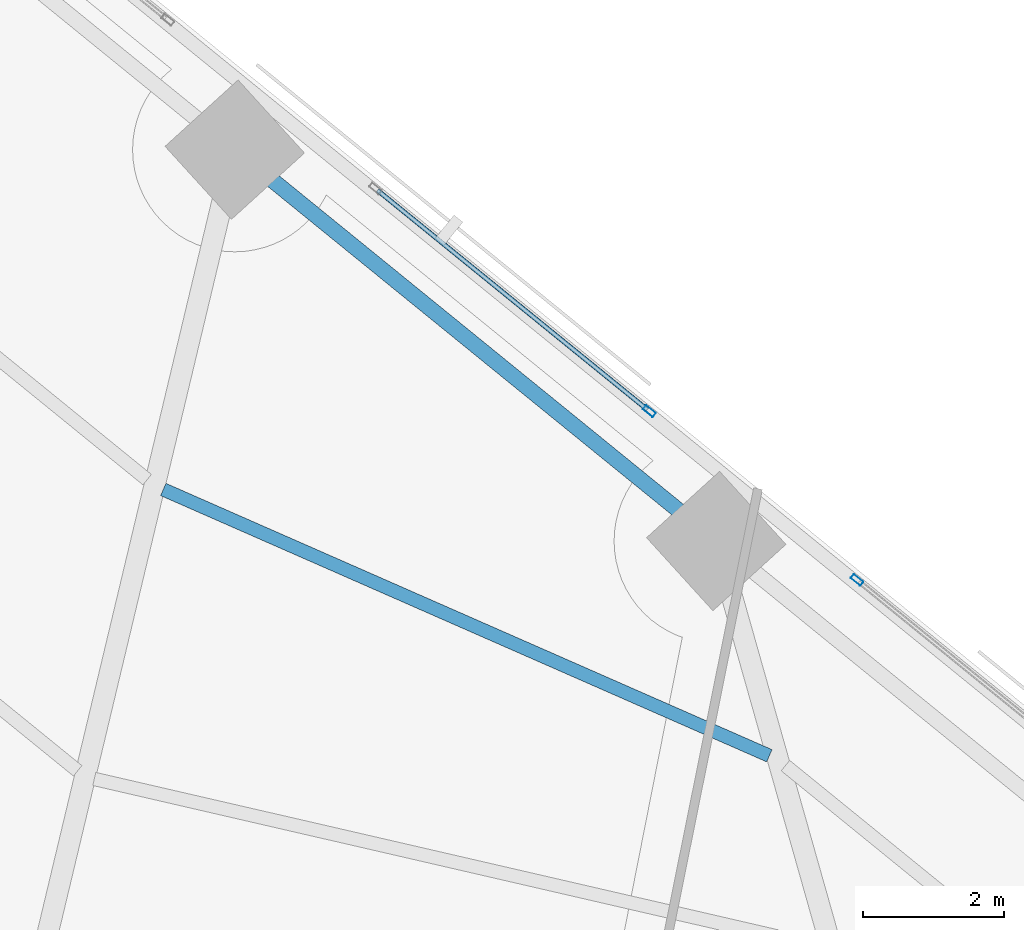
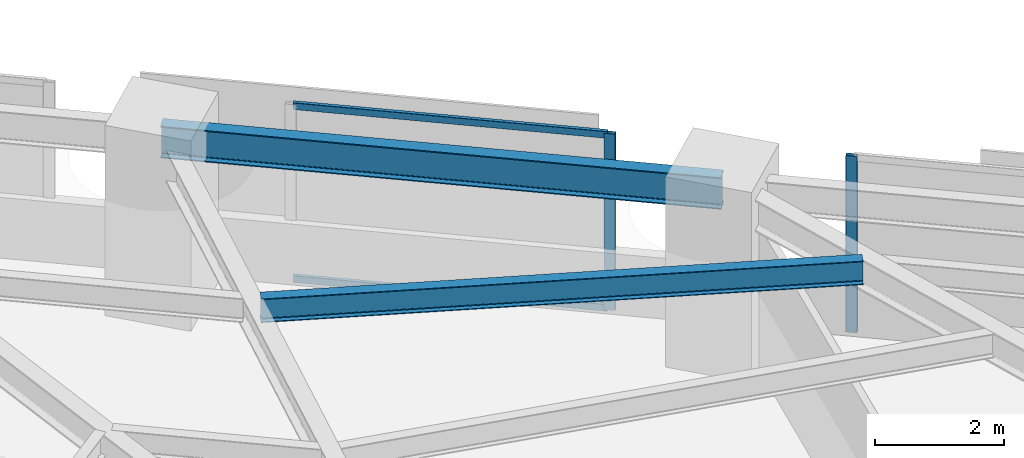
# One storey, part 10 of 17: 4 members, 2 beams, 2 elements without a shape of their own.
"""IFC4 building model written with IfcOpenShell, lengths in metres."""

from ifc_helpers import new_model, si_unit, direction, frame, origin, origin_2d, place, context, subcontext, project, spatial, hollow_rectangle, i_section, extrude, material, material_profile, profile_set, type_object, element, aggregate, save


model = new_model("IFC4")

# Units and contexts
model_context = context("Model", 3, precision=1e-05, world=origin(), true_north=direction((0.0, 1.0)))
body_context = subcontext(model_context, "Body", "Model", "MODEL_VIEW")
ifc_project = project(units=[si_unit("LENGTHUNIT", "METRE"), si_unit("AREAUNIT", "SQUARE_METRE"), si_unit("VOLUMEUNIT", "CUBIC_METRE"), si_unit("PLANEANGLEUNIT", "RADIAN"), si_unit("MASSUNIT", "GRAM", prefix="KILO")], contexts=[model_context])

# Site, building, storey
site_placement = place(None, origin())
site = spatial("IfcSite", under=ifc_project, at=site_placement, CompositionType="ELEMENT")
building_placement = place(site_placement, origin())
building = spatial("IfcBuilding", under=site, at=building_placement, Name="Narakoshi Arena Tower", CompositionType="ELEMENT")
storey_placement = place(building_placement, frame((0.0, 0.0, 33.89990234375)))
storey = spatial("IfcBuildingStorey", under=building, at=storey_placement, Name="L08", CompositionType="ELEMENT", Elevation=33.89990234375)

# Beams
ifc_material_1 = material(Name="Structural steel S355J2", Category="steel")
ifc_material_profile_1 = material_profile(ifc_material_1, i_section(OverallWidth=0.219970703125, OverallDepth=0.60009765625, WebThickness=0.011962890625, FlangeThickness=0.01904296875, FilletRadius=0.02392578125, at=origin_2d()), Name="IPE600")
ifc_profile_set_1 = profile_set([ifc_material_profile_1], Name="Structural steel S355J2")
beam_type_1 = type_object("IfcBeamType", Name="BM-EDGE-600", PredefinedType="BEAM", material=ifc_profile_set_1)
beam_1_placement = place(storey_placement, frame((82.626953125, 66.838623046875, 3.0400390625), z_axis=(-0.775997794165, 0.630735620883, 0.0), x_axis=(-0.630735620883, -0.775997794165, 0.0)))
element("IfcBeam", 1, at=beam_1_placement, inside=storey, type_object=beam_type_1, Name="L08 Perimeter Edge Girder 10", PredefinedType="BEAM", context=body_context, shape_type="SweptSolid", body=[
    extrude(i_section(OverallWidth=0.219970703125, OverallDepth=0.60009765625, WebThickness=0.011962890625, FlangeThickness=0.01904296875, FilletRadius=0.02392578125, at=origin_2d()), origin(), (0.0, 0.0, 1.0), 8.80517578125),
])
ifc_material_profile_2 = material_profile(ifc_material_1, i_section(OverallWidth=0.18994140625, OverallDepth=0.449951171875, WebThickness=0.009521484375, FlangeThickness=0.0146484375, FilletRadius=0.02099609375, at=origin_2d()), Name="IPE450")
ifc_profile_set_2 = profile_set([ifc_material_profile_2], Name="Structural steel S355J2")
beam_type_2 = type_object("IfcBeamType", Name="BM-SEC-450", PredefinedType="JOIST", material=ifc_profile_set_2)
beam_2_placement = place(storey_placement, frame((83.38037109375, 63.79150390625, 3.114990234375), z_axis=(-0.91553294009, 0.402243005669, 0.0), x_axis=(-0.402243005669, -0.91553294009, 0.0)))
element("IfcBeam", 2, at=beam_2_placement, inside=storey, type_object=beam_type_2, Name="L08 Composite Secondary Floor Joist 14", PredefinedType="JOIST", context=body_context, shape_type="SweptSolid", body=[
    extrude(i_section(OverallWidth=0.18994140625, OverallDepth=0.449951171875, WebThickness=0.009521484375, FlangeThickness=0.0146484375, FilletRadius=0.02099609375, at=origin_2d()), origin(), (0.0, 0.0, 1.0), 9.394287109375),
])

# Curtain wall, member
ifc_material_2 = material(Name="Anodised bronze aluminium 6063-T6", Category="aluminium")
curtain_wall_type = type_object("IfcCurtainWallType", Name="CW-HYP-LOW", PredefinedType="NOTDEFINED", material=ifc_material_2)
curtain_wall_1_placement = place(storey_placement, origin())
curtain_wall_1 = element("IfcCurtainWall", 3, at=curtain_wall_1_placement, inside=storey, type_object=curtain_wall_type, Name="L08 Folded Hypotenuse Curtain Wall 2-2", PredefinedType="NOTDEFINED")
ifc_material_profile_3 = material_profile(ifc_material_2, hollow_rectangle(XDim=0.074951171875, YDim=0.179931640625, WallThickness=0.00390625, OuterFilletRadius=0.0048828125, at=origin_2d()), Name="MUL180x75x4")
ifc_profile_set_3 = profile_set([ifc_material_profile_3], Name="Anodised bronze aluminium 6063-T6")
member_type_1 = type_object("IfcMemberType", Name="MEM-MUL-180", PredefinedType="MULLION", material=ifc_profile_set_3)
member_1_placement = place(storey_placement, frame((84.623779296875, 66.285400390625, 0.0), z_axis=(0.0, 0.0, 1.0), x_axis=(-0.630734833051, -0.775998434519, 0.0)))
member_1 = element("IfcMember", 4, at=member_1_placement, type_object=member_type_1, Name="CW-01 mullion 2", PredefinedType="MULLION", context=body_context, shape_type="SweptSolid", body=[
    extrude(hollow_rectangle(XDim=0.074951171875, YDim=0.179931640625, WallThickness=0.00390625, OuterFilletRadius=0.0048828125, at=origin_2d()), origin(), (0.0, 0.0, 1.0), 3.340087890625),
])
aggregate(curtain_wall_1, [member_1])

# Curtain wall, members
curtain_wall_2_placement = place(storey_placement, origin())
curtain_wall_2 = element("IfcCurtainWall", 5, at=curtain_wall_2_placement, inside=storey, type_object=curtain_wall_type, Name="L08 Folded Hypotenuse Curtain Wall 2-3", PredefinedType="NOTDEFINED")
member_2_placement = place(storey_placement, frame((81.677001953125, 68.6806640625, 0.0), z_axis=(0.0, 0.0, 1.0), x_axis=(-0.630722984816, -0.776008064665, 0.0)))
member_2 = element("IfcMember", 6, at=member_2_placement, type_object=member_type_1, Name="CW-01 mullion 1", PredefinedType="MULLION", context=body_context, shape_type="SweptSolid", body=[
    extrude(hollow_rectangle(XDim=0.074951171875, YDim=0.179931640625, WallThickness=0.00390625, OuterFilletRadius=0.0048828125, at=origin_2d()), origin(), (0.0, 0.0, 1.0), 3.340087890625),
])
ifc_material_profile_4 = material_profile(ifc_material_2, hollow_rectangle(XDim=0.06494140625, YDim=0.1298828125, WallThickness=0.00390625, OuterFilletRadius=0.0048828125, at=origin_2d()), Name="TRN130x65x4")
ifc_profile_set_4 = profile_set([ifc_material_profile_4], Name="Anodised bronze aluminium 6063-T6")
member_type_2 = type_object("IfcMemberType", Name="MEM-TRN-130", PredefinedType="USERDEFINED", material=ifc_profile_set_4)
member_3_placement = place(storey_placement, frame((81.647705078125, 68.704345703125, 0.03271484375), z_axis=(-0.77600648718, 0.630724925665, 0.0), x_axis=(-0.630724925665, -0.77600648718, 0.0)))
member_3 = element("IfcMember", 7, at=member_3_placement, type_object=member_type_2, Name="CW-01 transom 1.1", ObjectType="TRANSOM", PredefinedType="USERDEFINED", context=body_context, shape_type="SweptSolid", body=[
    extrude(hollow_rectangle(XDim=0.06494140625, YDim=0.1298828125, WallThickness=0.00390625, OuterFilletRadius=0.0048828125, at=origin_2d()), origin(), (0.0, 0.0, 1.0), 4.93212890625),
])
member_4_placement = place(storey_placement, frame((81.647705078125, 68.704345703125, 3.3076171875), z_axis=(-0.77600648718, 0.630724925665, 0.0), x_axis=(-0.630724925665, -0.77600648718, 0.0)))
member_4 = element("IfcMember", 8, at=member_4_placement, type_object=member_type_2, Name="CW-01 transom 1.2", ObjectType="TRANSOM", PredefinedType="USERDEFINED", context=body_context, shape_type="SweptSolid", body=[
    extrude(hollow_rectangle(XDim=0.06494140625, YDim=0.1298828125, WallThickness=0.00390625, OuterFilletRadius=0.0048828125, at=origin_2d()), origin(), (0.0, 0.0, 1.0), 4.93212890625),
])
aggregate(curtain_wall_2, [member_2, member_3, member_4])

save(model, "model.ifc")
